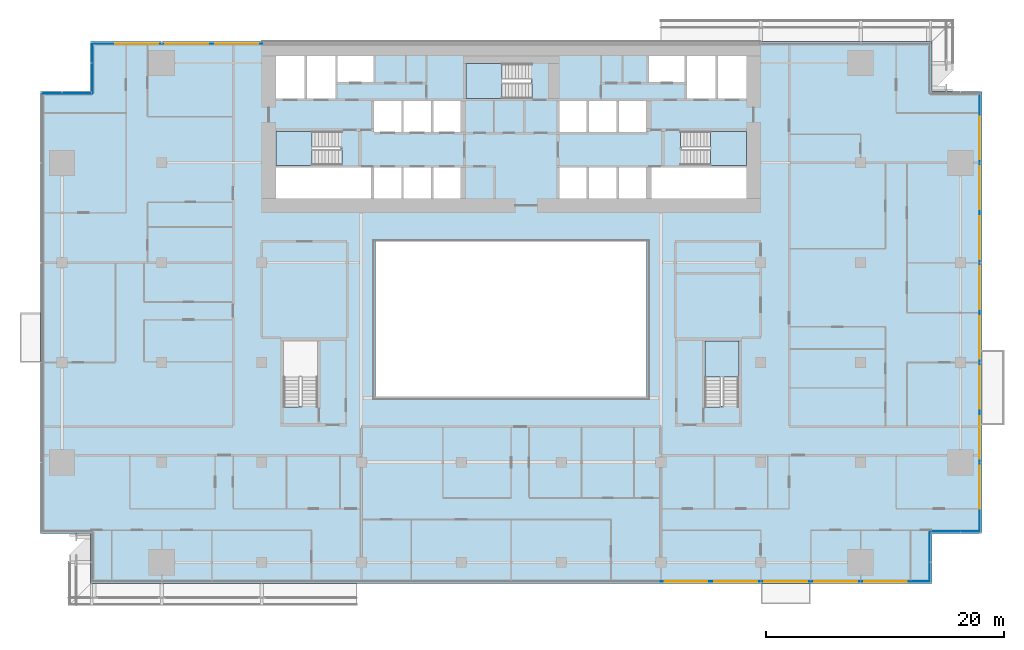
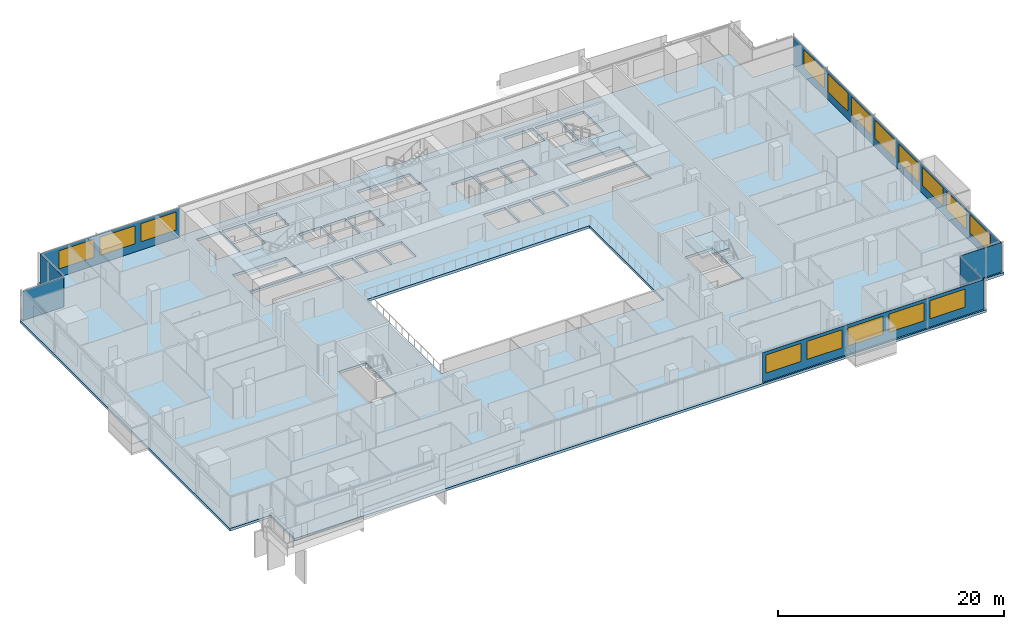
# One storey, part 15 of 29: 16 windows, 7 plates, 5 slabs, 16 openings, 11 elements without a shape of their own.
"""IFC4 building model written with IfcOpenShell, lengths in metres."""

from ifc_helpers import new_model, si_unit, direction, frame, frame_2d, origin, place, context, subcontext, project, spatial, polyline, rectangle, outline, extrude, material, layer, layer_set, type_object, element, fill, aggregate, save


model = new_model("IFC4")

# Units and contexts
model_context = context("Model", 3, precision=1e-05, world=origin(), true_north=direction((0.0, 1.0)))
body_context = subcontext(model_context, "Body", "Model", "MODEL_VIEW")
ifc_project = project(units=[si_unit("LENGTHUNIT", "METRE"), si_unit("AREAUNIT", "SQUARE_METRE"), si_unit("VOLUMEUNIT", "CUBIC_METRE"), si_unit("PLANEANGLEUNIT", "RADIAN"), si_unit("MASSUNIT", "GRAM", prefix="KILO")], contexts=[model_context])

# Site, building, storey
site_placement = place(None, origin())
site = spatial("IfcSite", under=ifc_project, at=site_placement, CompositionType="ELEMENT")
building_placement = place(site_placement, origin())
building = spatial("IfcBuilding", under=site, at=building_placement, Name="Saffron Gate Tower", CompositionType="ELEMENT")
storey_placement = place(building_placement, frame((0.0, 0.0, 58.800048828125)))
storey = spatial("IfcBuildingStorey", under=building, at=storey_placement, Name="L13", CompositionType="ELEMENT", Elevation=58.800048828125)

# Curtain wall, plate, openings, windows
ifc_material_1 = material(Name="Aluminium, bronze anodised", Category="aluminium")
curtain_wall_type_1 = type_object("IfcCurtainWallType", Name="CWS1 curtain wall front facade", PredefinedType="NOTDEFINED", material=ifc_material_1)
curtain_wall_1_placement = place(storey_placement, origin())
curtain_wall_1 = element("IfcCurtainWall", 1, at=curtain_wall_1_placement, inside=storey, type_object=curtain_wall_type_1, Name="CWS1 run 1", PredefinedType="NOTDEFINED")
ifc_material_2 = material(Name="Fritted bronze-tinted laminated glass", Category="glass")
ifc_layer_1 = layer(ifc_material_2, 0.028076171875)
ifc_layer_set_1 = layer_set([ifc_layer_1], Name="CWS1 fixed glass")
plate_type_1 = type_object("IfcPlateType", Name="CWS1 fixed glass", PredefinedType="CURTAIN_PANEL", material=ifc_layer_set_1)
plate_1_placement = place(storey_placement, frame((100.169921875, 30.174072265625, 0.0), z_axis=(0.0, 0.0, 1.0), x_axis=(1.0, 0.0, 0.0)))
plate_1 = element("IfcPlate", 2, at=plate_1_placement, type_object=plate_type_1, Name="CWS1 glass panel", PredefinedType="CURTAIN_PANEL", context=body_context, shape_type="SweptSolid", body=[
    extrude(rectangle(XDim=22.64208984375, YDim=0.028076171875, at=frame_2d((11.321044921875, 0.0))), origin(), (0.0, 0.0, 1.0), 3.199951171875),
])
opening_1_placement = place(plate_1_placement, frame((0.330078125, 0.0, 0.89990234375)))
opening_1 = element("IfcOpeningElement", 3, at=opening_1_placement, cuts=plate_1, Name="Opening W1", PredefinedType="OPENING", context=body_context, shape_type="SweptSolid", body=[
    extrude(rectangle(XDim=3.60009765625, YDim=1.949951171875, at=frame_2d((1.800048828125, 0.97509765625))), frame((0.0, 0.02392578125, 0.0), z_axis=(0.0, -1.0, 0.0), x_axis=(1.0, 0.0, 0.0)), (0.0, 0.0, 1.0), 0.048095703125),
])
opening_2_placement = place(plate_1_placement, frame((4.530029296875, 0.0, 0.89990234375)))
opening_2 = element("IfcOpeningElement", 4, at=opening_2_placement, cuts=plate_1, Name="Opening W1", PredefinedType="OPENING", context=body_context, shape_type="SweptSolid", body=[
    extrude(rectangle(XDim=3.60009765625, YDim=1.949951171875, at=frame_2d((1.800048828125, 0.97509765625))), frame((0.0, 0.02392578125, 0.0), z_axis=(0.0, -1.0, 0.0), x_axis=(1.0, 0.0, 0.0)), (0.0, 0.0, 1.0), 0.048095703125),
])
opening_3_placement = place(plate_1_placement, frame((8.72998046875, 0.0, 0.89990234375)))
opening_3 = element("IfcOpeningElement", 5, at=opening_3_placement, cuts=plate_1, Name="Opening W1", PredefinedType="OPENING", context=body_context, shape_type="SweptSolid", body=[
    extrude(rectangle(XDim=3.60009765625, YDim=1.949951171875, at=frame_2d((1.800048828125, 0.97509765625))), frame((0.0, 0.02392578125, 0.0), z_axis=(0.0, -1.0, 0.0), x_axis=(1.0, 0.0, 0.0)), (0.0, 0.0, 1.0), 0.048095703125),
])
opening_4_placement = place(plate_1_placement, frame((12.929931640625, 0.0, 0.89990234375)))
opening_4 = element("IfcOpeningElement", 6, at=opening_4_placement, cuts=plate_1, Name="Opening W1", PredefinedType="OPENING", context=body_context, shape_type="SweptSolid", body=[
    extrude(rectangle(XDim=3.60009765625, YDim=1.949951171875, at=frame_2d((1.800048828125, 0.97509765625))), frame((0.0, 0.02392578125, 0.0), z_axis=(0.0, -1.0, 0.0), x_axis=(1.0, 0.0, 0.0)), (0.0, 0.0, 1.0), 0.048095703125),
])
opening_5_placement = place(plate_1_placement, frame((17.1298828125, 0.0, 0.89990234375)))
opening_5 = element("IfcOpeningElement", 7, at=opening_5_placement, cuts=plate_1, Name="Opening W1", PredefinedType="OPENING", context=body_context, shape_type="SweptSolid", body=[
    extrude(rectangle(XDim=3.60009765625, YDim=1.949951171875, at=frame_2d((1.800048828125, 0.97509765625))), frame((0.0, 0.02392578125, 0.0), z_axis=(0.0, -1.0, 0.0), x_axis=(1.0, 0.0, 0.0)), (0.0, 0.0, 1.0), 0.048095703125),
])
ifc_material_3 = material(Name="Fritted bronze-tinted laminated glass in bronze frame", Category="glass")
ifc_layer_2 = layer(ifc_material_3, 0.06005859375)
ifc_layer_set_2 = layer_set([ifc_layer_2], Name="W1 operable panel 3600x1950")
window_type = type_object("IfcWindowType", Name="W1 operable panel 3600x1950", PartitioningType="DOUBLE_PANEL_HORIZONTAL", PredefinedType="WINDOW", material=ifc_layer_set_2)
window_1_placement = place(opening_1_placement, origin())
window_1 = element("IfcWindow", 8, at=window_1_placement, type_object=window_type, Name="W1 operable panel", OverallHeight=1.949951171875, OverallWidth=3.60009765625, PartitioningType="SINGLE_PANEL", PredefinedType="WINDOW", context=body_context, shape_type="SweptSolid", body=[
    extrude(rectangle(XDim=3.60009765625, YDim=1.949951171875, at=frame_2d((1.800048828125, 0.97509765625))), frame((0.0, 0.013671875, 0.0), z_axis=(0.0, -1.0, 0.0), x_axis=(1.0, 0.0, 0.0)), (0.0, 0.0, 1.0), 0.027587890625),
])
fill(opening_1, window_1)
window_2_placement = place(opening_2_placement, origin())
window_2 = element("IfcWindow", 9, at=window_2_placement, type_object=window_type, Name="W1 operable panel", OverallHeight=1.949951171875, OverallWidth=3.60009765625, PartitioningType="SINGLE_PANEL", PredefinedType="WINDOW", context=body_context, shape_type="SweptSolid", body=[
    extrude(rectangle(XDim=3.60009765625, YDim=1.949951171875, at=frame_2d((1.800048828125, 0.97509765625))), frame((0.0, 0.013671875, 0.0), z_axis=(0.0, -1.0, 0.0), x_axis=(1.0, 0.0, 0.0)), (0.0, 0.0, 1.0), 0.027587890625),
])
fill(opening_2, window_2)
window_3_placement = place(opening_3_placement, origin())
window_3 = element("IfcWindow", 10, at=window_3_placement, type_object=window_type, Name="W1 operable panel", OverallHeight=1.949951171875, OverallWidth=3.60009765625, PartitioningType="SINGLE_PANEL", PredefinedType="WINDOW", context=body_context, shape_type="SweptSolid", body=[
    extrude(rectangle(XDim=3.60009765625, YDim=1.949951171875, at=frame_2d((1.800048828125, 0.97509765625))), frame((0.0, 0.013671875, 0.0), z_axis=(0.0, -1.0, 0.0), x_axis=(1.0, 0.0, 0.0)), (0.0, 0.0, 1.0), 0.027587890625),
])
fill(opening_3, window_3)
window_4_placement = place(opening_4_placement, origin())
window_4 = element("IfcWindow", 11, at=window_4_placement, type_object=window_type, Name="W1 operable panel", OverallHeight=1.949951171875, OverallWidth=3.60009765625, PartitioningType="SINGLE_PANEL", PredefinedType="WINDOW", context=body_context, shape_type="SweptSolid", body=[
    extrude(rectangle(XDim=3.60009765625, YDim=1.949951171875, at=frame_2d((1.800048828125, 0.97509765625))), frame((0.0, 0.013671875, 0.0), z_axis=(0.0, -1.0, 0.0), x_axis=(1.0, 0.0, 0.0)), (0.0, 0.0, 1.0), 0.027587890625),
])
fill(opening_4, window_4)
window_5_placement = place(opening_5_placement, origin())
window_5 = element("IfcWindow", 12, at=window_5_placement, type_object=window_type, Name="W1 operable panel", OverallHeight=1.949951171875, OverallWidth=3.60009765625, PartitioningType="SINGLE_PANEL", PredefinedType="WINDOW", context=body_context, shape_type="SweptSolid", body=[
    extrude(rectangle(XDim=3.60009765625, YDim=1.949951171875, at=frame_2d((1.800048828125, 0.97509765625))), frame((0.0, 0.013671875, 0.0), z_axis=(0.0, -1.0, 0.0), x_axis=(1.0, 0.0, 0.0)), (0.0, 0.0, 1.0), 0.027587890625),
])
fill(opening_5, window_5)
aggregate(curtain_wall_1, [plate_1, window_1, window_2, window_3, window_4, window_5])

curtain_wall_type_2 = type_object("IfcCurtainWallType", Name="CWS2 curtain wall side facades", PredefinedType="NOTDEFINED", material=ifc_material_1)
curtain_wall_2_placement = place(storey_placement, origin())
curtain_wall_2 = element("IfcCurtainWall", 13, at=curtain_wall_2_placement, inside=storey, type_object=curtain_wall_type_2, Name="CWS2 run 4", PredefinedType="NOTDEFINED")
ifc_layer_3 = layer(ifc_material_2, 0.028076171875)
ifc_layer_set_3 = layer_set([ifc_layer_3], Name="CWS2 fixed glass")
plate_type_2 = type_object("IfcPlateType", Name="CWS2 fixed glass", PredefinedType="CURTAIN_PANEL", material=ifc_layer_set_3)
plate_2_placement = place(storey_placement, frame((127.02587890625, 34.387939453125, 0.0), z_axis=(0.0, 0.0, 1.0), x_axis=(0.0, 1.0, 0.0)))
plate_2 = element("IfcPlate", 14, at=plate_2_placement, type_object=plate_type_2, Name="CWS2 glass panel", PredefinedType="CURTAIN_PANEL", context=body_context, shape_type="SweptSolid", body=[
    extrude(rectangle(XDim=36.823974609375, YDim=0.028076171875, at=frame_2d((18.412109375, 0.0))), origin(), (0.0, 0.0, 1.0), 3.199951171875),
])
opening_6_placement = place(plate_2_placement, frame((1.912109375, 0.0, 0.89990234375)))
opening_6 = element("IfcOpeningElement", 15, at=opening_6_placement, cuts=plate_2, Name="Opening W1", PredefinedType="OPENING", context=body_context, shape_type="SweptSolid", body=[
    extrude(rectangle(XDim=3.60009765625, YDim=1.949951171875, at=frame_2d((1.800048828125, 0.97509765625))), frame((0.0, 0.02392578125, 0.0), z_axis=(0.0, -1.0, 0.0), x_axis=(1.0, 0.0, 0.0)), (0.0, 0.0, 1.0), 0.048095703125),
])
opening_7_placement = place(plate_2_placement, frame((6.112060546875, 0.0, 0.89990234375)))
opening_7 = element("IfcOpeningElement", 16, at=opening_7_placement, cuts=plate_2, Name="Opening W1", PredefinedType="OPENING", context=body_context, shape_type="SweptSolid", body=[
    extrude(rectangle(XDim=3.60009765625, YDim=1.949951171875, at=frame_2d((1.800048828125, 0.97509765625))), frame((0.0, 0.02392578125, 0.0), z_axis=(0.0, -1.0, 0.0), x_axis=(1.0, 0.0, 0.0)), (0.0, 0.0, 1.0), 0.048095703125),
])
opening_8_placement = place(plate_2_placement, frame((10.31201171875, 0.0, 0.89990234375)))
opening_8 = element("IfcOpeningElement", 17, at=opening_8_placement, cuts=plate_2, Name="Opening W1", PredefinedType="OPENING", context=body_context, shape_type="SweptSolid", body=[
    extrude(rectangle(XDim=3.60009765625, YDim=1.949951171875, at=frame_2d((1.800048828125, 0.97509765625))), frame((0.0, 0.02392578125, 0.0), z_axis=(0.0, -1.0, 0.0), x_axis=(1.0, 0.0, 0.0)), (0.0, 0.0, 1.0), 0.048095703125),
])
opening_9_placement = place(plate_2_placement, frame((14.511962890625, 0.0, 0.89990234375)))
opening_9 = element("IfcOpeningElement", 18, at=opening_9_placement, cuts=plate_2, Name="Opening W1", PredefinedType="OPENING", context=body_context, shape_type="SweptSolid", body=[
    extrude(rectangle(XDim=3.60009765625, YDim=1.949951171875, at=frame_2d((1.800048828125, 0.97509765625))), frame((0.0, 0.02392578125, 0.0), z_axis=(0.0, -1.0, 0.0), x_axis=(1.0, 0.0, 0.0)), (0.0, 0.0, 1.0), 0.048095703125),
])
opening_10_placement = place(plate_2_placement, frame((18.7119140625, 0.0, 0.89990234375)))
opening_10 = element("IfcOpeningElement", 19, at=opening_10_placement, cuts=plate_2, Name="Opening W1", PredefinedType="OPENING", context=body_context, shape_type="SweptSolid", body=[
    extrude(rectangle(XDim=3.60009765625, YDim=1.949951171875, at=frame_2d((1.800048828125, 0.97509765625))), frame((0.0, 0.02392578125, 0.0), z_axis=(0.0, -1.0, 0.0), x_axis=(1.0, 0.0, 0.0)), (0.0, 0.0, 1.0), 0.048095703125),
])
opening_11_placement = place(plate_2_placement, frame((22.912109375, 0.0, 0.89990234375)))
opening_11 = element("IfcOpeningElement", 20, at=opening_11_placement, cuts=plate_2, Name="Opening W1", PredefinedType="OPENING", context=body_context, shape_type="SweptSolid", body=[
    extrude(rectangle(XDim=3.60009765625, YDim=1.949951171875, at=frame_2d((1.800048828125, 0.97509765625))), frame((0.0, 0.02392578125, 0.0), z_axis=(0.0, -1.0, 0.0), x_axis=(1.0, 0.0, 0.0)), (0.0, 0.0, 1.0), 0.048095703125),
])
opening_12_placement = place(plate_2_placement, frame((27.112060546875, 0.0, 0.89990234375)))
opening_12 = element("IfcOpeningElement", 21, at=opening_12_placement, cuts=plate_2, Name="Opening W1", PredefinedType="OPENING", context=body_context, shape_type="SweptSolid", body=[
    extrude(rectangle(XDim=3.60009765625, YDim=1.949951171875, at=frame_2d((1.800048828125, 0.97509765625))), frame((0.0, 0.02392578125, 0.0), z_axis=(0.0, -1.0, 0.0), x_axis=(1.0, 0.0, 0.0)), (0.0, 0.0, 1.0), 0.048095703125),
])
opening_13_placement = place(plate_2_placement, frame((31.31201171875, 0.0, 0.89990234375)))
opening_13 = element("IfcOpeningElement", 22, at=opening_13_placement, cuts=plate_2, Name="Opening W1", PredefinedType="OPENING", context=body_context, shape_type="SweptSolid", body=[
    extrude(rectangle(XDim=3.60009765625, YDim=1.949951171875, at=frame_2d((1.800048828125, 0.97509765625))), frame((0.0, 0.02392578125, 0.0), z_axis=(0.0, -1.0, 0.0), x_axis=(1.0, 0.0, 0.0)), (0.0, 0.0, 1.0), 0.048095703125),
])
window_6_placement = place(opening_6_placement, origin())
window_6 = element("IfcWindow", 23, at=window_6_placement, type_object=window_type, Name="W1 operable panel", OverallHeight=1.949951171875, OverallWidth=3.60009765625, PartitioningType="SINGLE_PANEL", PredefinedType="WINDOW", context=body_context, shape_type="SweptSolid", body=[
    extrude(rectangle(XDim=3.60009765625, YDim=1.949951171875, at=frame_2d((1.800048828125, 0.97509765625))), frame((0.0, 0.013671875, 0.0), z_axis=(0.0, -1.0, 0.0), x_axis=(1.0, 0.0, 0.0)), (0.0, 0.0, 1.0), 0.027587890625),
])
fill(opening_6, window_6)
window_7_placement = place(opening_7_placement, origin())
window_7 = element("IfcWindow", 24, at=window_7_placement, type_object=window_type, Name="W1 operable panel", OverallHeight=1.949951171875, OverallWidth=3.60009765625, PartitioningType="SINGLE_PANEL", PredefinedType="WINDOW", context=body_context, shape_type="SweptSolid", body=[
    extrude(rectangle(XDim=3.60009765625, YDim=1.949951171875, at=frame_2d((1.800048828125, 0.97509765625))), frame((0.0, 0.013671875, 0.0), z_axis=(0.0, -1.0, 0.0), x_axis=(1.0, 0.0, 0.0)), (0.0, 0.0, 1.0), 0.027587890625),
])
fill(opening_7, window_7)
window_8_placement = place(opening_8_placement, origin())
window_8 = element("IfcWindow", 25, at=window_8_placement, type_object=window_type, Name="W1 operable panel", OverallHeight=1.949951171875, OverallWidth=3.60009765625, PartitioningType="SINGLE_PANEL", PredefinedType="WINDOW", context=body_context, shape_type="SweptSolid", body=[
    extrude(rectangle(XDim=3.60009765625, YDim=1.949951171875, at=frame_2d((1.800048828125, 0.97509765625))), frame((0.0, 0.013671875, 0.0), z_axis=(0.0, -1.0, 0.0), x_axis=(1.0, 0.0, 0.0)), (0.0, 0.0, 1.0), 0.027587890625),
])
fill(opening_8, window_8)
window_9_placement = place(opening_9_placement, origin())
window_9 = element("IfcWindow", 26, at=window_9_placement, type_object=window_type, Name="W1 operable panel", OverallHeight=1.949951171875, OverallWidth=3.60009765625, PartitioningType="SINGLE_PANEL", PredefinedType="WINDOW", context=body_context, shape_type="SweptSolid", body=[
    extrude(rectangle(XDim=3.60009765625, YDim=1.949951171875, at=frame_2d((1.800048828125, 0.97509765625))), frame((0.0, 0.013671875, 0.0), z_axis=(0.0, -1.0, 0.0), x_axis=(1.0, 0.0, 0.0)), (0.0, 0.0, 1.0), 0.027587890625),
])
fill(opening_9, window_9)
window_10_placement = place(opening_10_placement, origin())
window_10 = element("IfcWindow", 27, at=window_10_placement, type_object=window_type, Name="W1 operable panel", OverallHeight=1.949951171875, OverallWidth=3.60009765625, PartitioningType="SINGLE_PANEL", PredefinedType="WINDOW", context=body_context, shape_type="SweptSolid", body=[
    extrude(rectangle(XDim=3.60009765625, YDim=1.949951171875, at=frame_2d((1.800048828125, 0.97509765625))), frame((0.0, 0.013671875, 0.0), z_axis=(0.0, -1.0, 0.0), x_axis=(1.0, 0.0, 0.0)), (0.0, 0.0, 1.0), 0.027587890625),
])
fill(opening_10, window_10)
window_11_placement = place(opening_11_placement, origin())
window_11 = element("IfcWindow", 28, at=window_11_placement, type_object=window_type, Name="W1 operable panel", OverallHeight=1.949951171875, OverallWidth=3.60009765625, PartitioningType="SINGLE_PANEL", PredefinedType="WINDOW", context=body_context, shape_type="SweptSolid", body=[
    extrude(rectangle(XDim=3.60009765625, YDim=1.949951171875, at=frame_2d((1.800048828125, 0.97509765625))), frame((0.0, 0.013671875, 0.0), z_axis=(0.0, -1.0, 0.0), x_axis=(1.0, 0.0, 0.0)), (0.0, 0.0, 1.0), 0.027587890625),
])
fill(opening_11, window_11)
window_12_placement = place(opening_12_placement, origin())
window_12 = element("IfcWindow", 29, at=window_12_placement, type_object=window_type, Name="W1 operable panel", OverallHeight=1.949951171875, OverallWidth=3.60009765625, PartitioningType="SINGLE_PANEL", PredefinedType="WINDOW", context=body_context, shape_type="SweptSolid", body=[
    extrude(rectangle(XDim=3.60009765625, YDim=1.949951171875, at=frame_2d((1.800048828125, 0.97509765625))), frame((0.0, 0.013671875, 0.0), z_axis=(0.0, -1.0, 0.0), x_axis=(1.0, 0.0, 0.0)), (0.0, 0.0, 1.0), 0.027587890625),
])
fill(opening_12, window_12)
window_13_placement = place(opening_13_placement, origin())
window_13 = element("IfcWindow", 30, at=window_13_placement, type_object=window_type, Name="W1 operable panel", OverallHeight=1.949951171875, OverallWidth=3.60009765625, PartitioningType="SINGLE_PANEL", PredefinedType="WINDOW", context=body_context, shape_type="SweptSolid", body=[
    extrude(rectangle(XDim=3.60009765625, YDim=1.949951171875, at=frame_2d((1.800048828125, 0.97509765625))), frame((0.0, 0.013671875, 0.0), z_axis=(0.0, -1.0, 0.0), x_axis=(1.0, 0.0, 0.0)), (0.0, 0.0, 1.0), 0.027587890625),
])
fill(opening_13, window_13)
aggregate(curtain_wall_2, [plate_2, window_6, window_7, window_8, window_9, window_10, window_11, window_12, window_13])

curtain_wall_type_3 = type_object("IfcCurtainWallType", Name="CWS3 curtain wall rear facade", PredefinedType="NOTDEFINED", material=ifc_material_1)
curtain_wall_3_placement = place(storey_placement, origin())
curtain_wall_3 = element("IfcCurtainWall", 31, at=curtain_wall_3_placement, inside=storey, type_object=curtain_wall_type_3, Name="CWS3 run 7", PredefinedType="NOTDEFINED")
ifc_material_4 = material(Name="Fritted grey-tinted laminated glass", Category="glass")
ifc_layer_4 = layer(ifc_material_4, 0.028076171875)
ifc_layer_set_4 = layer_set([ifc_layer_4], Name="CWS3 fixed glass")
plate_type_3 = type_object("IfcPlateType", Name="CWS3 fixed glass", PredefinedType="CURTAIN_PANEL", material=ifc_layer_set_4)
plate_3_placement = place(storey_placement, frame((66.635009765625, 75.426025390625, 0.0), z_axis=(0.0, 0.0, 1.0), x_axis=(-1.0, 0.0, 0.0)))
plate_3 = element("IfcPlate", 32, at=plate_3_placement, type_object=plate_type_3, Name="CWS3 glass panel", PredefinedType="CURTAIN_PANEL", context=body_context, shape_type="SweptSolid", body=[
    extrude(rectangle(XDim=14.2470703125, YDim=0.028076171875, at=frame_2d((7.12353515625, 0.0))), origin(), (0.0, 0.0, 1.0), 3.199951171875),
])
opening_14_placement = place(plate_3_placement, frame((0.3349609375, 0.0, 0.89990234375)))
opening_14 = element("IfcOpeningElement", 33, at=opening_14_placement, cuts=plate_3, Name="Opening W1", PredefinedType="OPENING", context=body_context, shape_type="SweptSolid", body=[
    extrude(rectangle(XDim=3.60009765625, YDim=1.949951171875, at=frame_2d((1.800048828125, 0.97509765625))), frame((0.0, 0.02392578125, 0.0), z_axis=(0.0, -1.0, 0.0), x_axis=(1.0, 0.0, 0.0)), (0.0, 0.0, 1.0), 0.048095703125),
])
opening_15_placement = place(plate_3_placement, frame((4.534912109375, 0.0, 0.89990234375)))
opening_15 = element("IfcOpeningElement", 34, at=opening_15_placement, cuts=plate_3, Name="Opening W1", PredefinedType="OPENING", context=body_context, shape_type="SweptSolid", body=[
    extrude(rectangle(XDim=3.60009765625, YDim=1.949951171875, at=frame_2d((1.800048828125, 0.97509765625))), frame((0.0, 0.02392578125, 0.0), z_axis=(0.0, -1.0, 0.0), x_axis=(1.0, 0.0, 0.0)), (0.0, 0.0, 1.0), 0.048095703125),
])
opening_16_placement = place(plate_3_placement, frame((8.735107421875, 0.0, 0.89990234375)))
opening_16 = element("IfcOpeningElement", 35, at=opening_16_placement, cuts=plate_3, Name="Opening W1", PredefinedType="OPENING", context=body_context, shape_type="SweptSolid", body=[
    extrude(rectangle(XDim=3.60009765625, YDim=1.949951171875, at=frame_2d((1.800048828125, 0.97509765625))), frame((0.0, 0.02392578125, 0.0), z_axis=(0.0, -1.0, 0.0), x_axis=(1.0, 0.0, 0.0)), (0.0, 0.0, 1.0), 0.048095703125),
])
window_14_placement = place(opening_14_placement, origin())
window_14 = element("IfcWindow", 36, at=window_14_placement, type_object=window_type, Name="W1 operable panel", OverallHeight=1.949951171875, OverallWidth=3.60009765625, PartitioningType="SINGLE_PANEL", PredefinedType="WINDOW", context=body_context, shape_type="SweptSolid", body=[
    extrude(rectangle(XDim=3.60009765625, YDim=1.949951171875, at=frame_2d((1.800048828125, 0.97509765625))), frame((0.0, 0.013671875, 0.0), z_axis=(0.0, -1.0, 0.0), x_axis=(1.0, 0.0, 0.0)), (0.0, 0.0, 1.0), 0.027587890625),
])
fill(opening_14, window_14)
window_15_placement = place(opening_15_placement, origin())
window_15 = element("IfcWindow", 37, at=window_15_placement, type_object=window_type, Name="W1 operable panel", OverallHeight=1.949951171875, OverallWidth=3.60009765625, PartitioningType="SINGLE_PANEL", PredefinedType="WINDOW", context=body_context, shape_type="SweptSolid", body=[
    extrude(rectangle(XDim=3.60009765625, YDim=1.949951171875, at=frame_2d((1.800048828125, 0.97509765625))), frame((0.0, 0.013671875, 0.0), z_axis=(0.0, -1.0, 0.0), x_axis=(1.0, 0.0, 0.0)), (0.0, 0.0, 1.0), 0.027587890625),
])
fill(opening_15, window_15)
window_16_placement = place(opening_16_placement, origin())
window_16 = element("IfcWindow", 38, at=window_16_placement, type_object=window_type, Name="W1 operable panel", OverallHeight=1.949951171875, OverallWidth=3.60009765625, PartitioningType="SINGLE_PANEL", PredefinedType="WINDOW", context=body_context, shape_type="SweptSolid", body=[
    extrude(rectangle(XDim=3.60009765625, YDim=1.949951171875, at=frame_2d((1.800048828125, 0.97509765625))), frame((0.0, 0.013671875, 0.0), z_axis=(0.0, -1.0, 0.0), x_axis=(1.0, 0.0, 0.0)), (0.0, 0.0, 1.0), 0.027587890625),
])
fill(opening_16, window_16)
aggregate(curtain_wall_3, [plate_3, window_14, window_15, window_16])

# Curtain wall, plate
curtain_wall_type_4 = type_object("IfcCurtainWallType", Name="CWS4 curtain wall corner returns", PredefinedType="NOTDEFINED", material=ifc_material_1)
curtain_wall_4_placement = place(storey_placement, origin())
curtain_wall_4 = element("IfcCurtainWall", 39, at=curtain_wall_4_placement, inside=storey, type_object=curtain_wall_type_4, Name="CWS4 run 2", PredefinedType="NOTDEFINED")
ifc_layer_5 = layer(ifc_material_2, 0.028076171875)
ifc_layer_set_5 = layer_set([ifc_layer_5], Name="CWS4 fixed glass")
plate_type_4 = type_object("IfcPlateType", Name="CWS4 fixed glass", PredefinedType="CURTAIN_PANEL", material=ifc_layer_set_5)
plate_4_placement = place(storey_placement, frame((122.825927734375, 30.18798828125, 0.0), z_axis=(0.0, 0.0, 1.0), x_axis=(0.0, 1.0, 0.0)))
plate_4 = element("IfcPlate", 40, at=plate_4_placement, type_object=plate_type_4, Name="CWS4 glass panel", PredefinedType="CURTAIN_PANEL", context=body_context, shape_type="SweptSolid", body=[
    extrude(rectangle(XDim=4.172119140625, YDim=0.028076171875, at=frame_2d((2.0859375, 0.0))), origin(), (0.0, 0.0, 1.0), 3.199951171875),
])
aggregate(curtain_wall_4, [plate_4])

curtain_wall_5_placement = place(storey_placement, origin())
curtain_wall_5 = element("IfcCurtainWall", 41, at=curtain_wall_5_placement, inside=storey, type_object=curtain_wall_type_4, Name="CWS4 run 3", PredefinedType="NOTDEFINED")
plate_5_placement = place(storey_placement, frame((122.840087890625, 34.3740234375, 0.0), z_axis=(0.0, 0.0, 1.0), x_axis=(1.0, 0.0, 0.0)))
plate_5 = element("IfcPlate", 42, at=plate_5_placement, type_object=plate_type_4, Name="CWS4 glass panel", PredefinedType="CURTAIN_PANEL", context=body_context, shape_type="SweptSolid", body=[
    extrude(rectangle(XDim=4.171875, YDim=0.028076171875, at=frame_2d((2.0859375, 0.0))), origin(), (0.0, 0.0, 1.0), 3.199951171875),
])
aggregate(curtain_wall_5, [plate_5])

curtain_wall_6_placement = place(storey_placement, origin())
curtain_wall_6 = element("IfcCurtainWall", 43, at=curtain_wall_6_placement, inside=storey, type_object=curtain_wall_type_4, Name="CWS4 run 8", PredefinedType="NOTDEFINED")
plate_6_placement = place(storey_placement, frame((52.3740234375, 75.412109375, 0.0), z_axis=(0.0, 0.0, 1.0), x_axis=(0.0, -1.0, 0.0)))
plate_6 = element("IfcPlate", 44, at=plate_6_placement, type_object=plate_type_4, Name="CWS4 glass panel", PredefinedType="CURTAIN_PANEL", context=body_context, shape_type="SweptSolid", body=[
    extrude(rectangle(XDim=4.172119140625, YDim=0.028076171875, at=frame_2d((2.0859375, 0.0))), origin(), (0.0, 0.0, 1.0), 3.199951171875),
])
aggregate(curtain_wall_6, [plate_6])

curtain_wall_7_placement = place(storey_placement, origin())
curtain_wall_7 = element("IfcCurtainWall", 45, at=curtain_wall_7_placement, inside=storey, type_object=curtain_wall_type_4, Name="CWS4 run 9", PredefinedType="NOTDEFINED")
plate_7_placement = place(storey_placement, frame((52.360107421875, 71.22607421875, 0.0), z_axis=(0.0, 0.0, 1.0), x_axis=(-1.0, 0.0, 0.0)))
plate_7 = element("IfcPlate", 46, at=plate_7_placement, type_object=plate_type_4, Name="CWS4 glass panel", PredefinedType="CURTAIN_PANEL", context=body_context, shape_type="SweptSolid", body=[
    extrude(rectangle(XDim=4.172119140625, YDim=0.028076171875, at=frame_2d((2.0859375, 0.0))), origin(), (0.0, 0.0, 1.0), 3.199951171875),
])
aggregate(curtain_wall_7, [plate_7])

# Slab
ifc_material_5 = material(Name="Concrete C40", Category="concrete")
ifc_layer_6 = layer(ifc_material_5, 0.280029296875)
ifc_layer_set_6 = layer_set([ifc_layer_6], Name="S2 FLOOR SLAB 280 CONCRETE C40")
slab_type_1 = type_object("IfcSlabType", Name="S2 FLOOR SLAB 280 CONCRETE C40", PredefinedType="FLOOR", material=ifc_layer_set_6)
slab_1_placement = place(storey_placement, frame((0.0, 0.0, -0.280029296875)))
element("IfcSlab", 47, at=slab_1_placement, inside=storey, type_object=slab_type_1, Name="S2 FLOOR SLAB", PredefinedType="FLOOR", context=body_context, shape_type="SweptSolid", body=[
    extrude(outline(polyline([(48.0, 34.199951171875), (52.199951171875, 34.199951171875), (52.199951171875, 30.0), (123.0, 30.0), (123.0, 34.199951171875), (127.199951171875, 34.199951171875), (127.199951171875, 71.39990234375), (123.0, 71.39990234375), (123.0, 75.60009765625), (52.199951171875, 75.60009765625), (52.199951171875, 71.39990234375), (48.0, 71.39990234375), (48.0, 34.199951171875)]), holes=[polyline([(67.800048828125, 62.39990234375), (67.800048828125, 65.0), (75.800048828125, 65.0), (75.800048828125, 62.39990234375), (67.800048828125, 62.39990234375)]), polyline([(67.800048828125, 65.199951171875), (67.800048828125, 68.050048828125), (73.25, 68.050048828125), (73.25, 66.550048828125), (73.34912109375, 66.550048828125), (73.34912109375, 65.199951171875), (67.800048828125, 65.199951171875)]), polyline([(67.800048828125, 70.800048828125), (67.800048828125, 74.39990234375), (70.199951171875, 74.39990234375), (70.199951171875, 70.800048828125), (67.800048828125, 70.800048828125)]), polyline([(68.449951171875, 44.85107421875), (68.449951171875, 50.39990234375), (71.300048828125, 50.39990234375), (71.300048828125, 44.949951171875), (69.800048828125, 44.949951171875), (69.800048828125, 44.85107421875), (68.449951171875, 44.85107421875)]), polyline([(70.39990234375, 70.800048828125), (70.39990234375, 74.39990234375), (72.800048828125, 74.39990234375), (72.800048828125, 70.800048828125), (70.39990234375, 70.800048828125)]), polyline([(73.0, 72.199951171875), (73.0, 74.39990234375), (76.0, 74.39990234375), (76.0, 72.199951171875), (73.0, 72.199951171875)]), polyline([(76.050048828125, 62.39990234375), (76.050048828125, 65.0), (78.35009765625, 65.0), (78.35009765625, 62.39990234375), (76.050048828125, 62.39990234375)]), polyline([(76.050048828125, 68.0), (76.050048828125, 70.60009765625), (78.35009765625, 70.60009765625), (78.35009765625, 68.0), (76.050048828125, 68.0)]), polyline([(76.199951171875, 45.60009765625), (76.199951171875, 58.800048828125), (99.0, 58.800048828125), (99.0, 45.60009765625), (76.199951171875, 45.60009765625)]), polyline([(78.550048828125, 62.39990234375), (78.550048828125, 65.0), (80.85009765625, 65.0), (80.85009765625, 62.39990234375), (78.550048828125, 62.39990234375)]), polyline([(78.550048828125, 68.0), (78.550048828125, 70.60009765625), (80.85009765625, 70.60009765625), (80.85009765625, 68.0), (78.550048828125, 68.0)]), polyline([(81.050048828125, 62.39990234375), (81.050048828125, 65.0), (83.35009765625, 65.0), (83.35009765625, 62.39990234375), (81.050048828125, 62.39990234375)]), polyline([(81.050048828125, 68.0), (81.050048828125, 70.60009765625), (83.35009765625, 70.60009765625), (83.35009765625, 68.0), (81.050048828125, 68.0)]), polyline([(83.800048828125, 70.800048828125), (83.800048828125, 73.75), (89.25, 73.75), (89.25, 72.14990234375), (89.34912109375, 72.14990234375), (89.34912109375, 70.800048828125), (83.800048828125, 70.800048828125)]), polyline([(91.64990234375, 62.39990234375), (91.64990234375, 65.0), (93.949951171875, 65.0), (93.949951171875, 62.39990234375), (91.64990234375, 62.39990234375)]), polyline([(91.64990234375, 68.0), (91.64990234375, 70.60009765625), (93.949951171875, 70.60009765625), (93.949951171875, 68.0), (91.64990234375, 68.0)]), polyline([(94.14990234375, 62.39990234375), (94.14990234375, 65.0), (96.449951171875, 65.0), (96.449951171875, 62.39990234375), (94.14990234375, 62.39990234375)]), polyline([(94.14990234375, 68.0), (94.14990234375, 70.60009765625), (96.449951171875, 70.60009765625), (96.449951171875, 68.0), (94.14990234375, 68.0)]), polyline([(96.64990234375, 62.39990234375), (96.64990234375, 65.0), (98.949951171875, 65.0), (98.949951171875, 62.39990234375), (96.64990234375, 62.39990234375)]), polyline([(96.64990234375, 68.0), (96.64990234375, 70.60009765625), (98.949951171875, 70.60009765625), (98.949951171875, 68.0), (96.64990234375, 68.0)]), polyline([(99.199951171875, 72.199951171875), (99.199951171875, 74.39990234375), (102.199951171875, 74.39990234375), (102.199951171875, 72.199951171875), (99.199951171875, 72.199951171875)]), polyline([(99.39990234375, 62.39990234375), (99.39990234375, 65.0), (107.39990234375, 65.0), (107.39990234375, 62.39990234375), (99.39990234375, 62.39990234375)]), polyline([(101.85107421875, 66.699951171875), (101.85107421875, 68.050048828125), (107.39990234375, 68.050048828125), (107.39990234375, 65.199951171875), (101.949951171875, 65.199951171875), (101.949951171875, 66.699951171875), (101.85107421875, 66.699951171875)]), polyline([(102.39990234375, 70.800048828125), (102.39990234375, 74.39990234375), (104.800048828125, 74.39990234375), (104.800048828125, 70.800048828125), (102.39990234375, 70.800048828125)]), polyline([(103.89990234375, 44.85107421875), (103.89990234375, 50.39990234375), (106.75, 50.39990234375), (106.75, 44.949951171875), (105.25, 44.949951171875), (105.25, 44.85107421875), (103.89990234375, 44.85107421875)]), polyline([(105.0, 70.800048828125), (105.0, 74.39990234375), (107.39990234375, 74.39990234375), (107.39990234375, 70.800048828125), (105.0, 70.800048828125)])]), origin(), (0.0, 0.0, 1.0), 0.280029296875),
])

# Stair, slab
stair_type = type_object("IfcStairType", Name="ST7 Stair 1350 wide, 20 risers of 180", PredefinedType="HALF_TURN_STAIR", material=ifc_material_5)
stair_1_placement = place(storey_placement, origin())
stair_1 = element("IfcStair", 48, at=stair_1_placement, inside=storey, type_object=stair_type, Name="L13 Exit stair A", PredefinedType="HALF_TURN_STAIR")
ifc_layer_7 = layer(ifc_material_5, 0.199951171875)
ifc_layer_set_7 = layer_set([ifc_layer_7], Name="SL1 Stair landing 200")
slab_type_2 = type_object("IfcSlabType", Name="SL1 Stair landing 200", PredefinedType="LANDING", material=ifc_layer_set_7)
slab_2_placement = place(storey_placement, frame((0.0, 0.0, 1.599853515625)))
slab_2 = element("IfcSlab", 49, at=slab_2_placement, type_object=slab_type_2, Name="ST-A landing 1", PredefinedType="LANDING", context=body_context, shape_type="SweptSolid", body=[
    extrude(outline(polyline([(70.830078125, 68.050048828125), (67.800048828125, 68.050048828125), (67.800048828125, 65.199951171875), (70.830078125, 65.199951171875), (70.830078125, 68.050048828125)])), origin(), (0.0, 0.0, 1.0), 0.2001953125),
])
aggregate(stair_1, [slab_2])

stair_2_placement = place(storey_placement, origin())
stair_2 = element("IfcStair", 50, at=stair_2_placement, inside=storey, type_object=stair_type, Name="L13 Exit stair B", PredefinedType="HALF_TURN_STAIR")
slab_3_placement = place(storey_placement, frame((0.0, 0.0, 1.599853515625)))
slab_3 = element("IfcSlab", 51, at=slab_3_placement, type_object=slab_type_2, Name="ST-B landing 1", PredefinedType="LANDING", context=body_context, shape_type="SweptSolid", body=[
    extrude(outline(polyline([(104.3701171875, 65.199951171875), (107.39990234375, 65.199951171875), (107.39990234375, 68.050048828125), (104.3701171875, 68.050048828125), (104.3701171875, 65.199951171875)])), origin(), (0.0, 0.0, 1.0), 0.2001953125),
])
aggregate(stair_2, [slab_3])

stair_3_placement = place(storey_placement, origin())
stair_3 = element("IfcStair", 52, at=stair_3_placement, inside=storey, type_object=stair_type, Name="L13 Exit stair C", PredefinedType="HALF_TURN_STAIR")
slab_4_placement = place(storey_placement, frame((0.0, 0.0, 1.599853515625)))
slab_4 = element("IfcSlab", 53, at=slab_4_placement, type_object=slab_type_2, Name="ST-C landing 1", PredefinedType="LANDING", context=body_context, shape_type="SweptSolid", body=[
    extrude(outline(polyline([(86.830078125, 73.75), (83.800048828125, 73.75), (83.800048828125, 70.800048828125), (86.830078125, 70.800048828125), (86.830078125, 73.75)])), origin(), (0.0, 0.0, 1.0), 0.2001953125),
])
aggregate(stair_3, [slab_4])

stair_4_placement = place(storey_placement, origin())
stair_4 = element("IfcStair", 54, at=stair_4_placement, inside=storey, type_object=stair_type, Name="L13 Exit stair E", PredefinedType="HALF_TURN_STAIR")
slab_5_placement = place(storey_placement, frame((0.0, 0.0, 1.599853515625)))
slab_5 = element("IfcSlab", 55, at=slab_5_placement, type_object=slab_type_2, Name="ST-E landing 1", PredefinedType="LANDING", context=body_context, shape_type="SweptSolid", body=[
    extrude(outline(polyline([(106.75, 47.3701171875), (106.75, 50.39990234375), (103.89990234375, 50.39990234375), (103.89990234375, 47.3701171875), (106.75, 47.3701171875)])), origin(), (0.0, 0.0, 1.0), 0.2001953125),
])
aggregate(stair_4, [slab_5])

save(model, "model.ifc")
